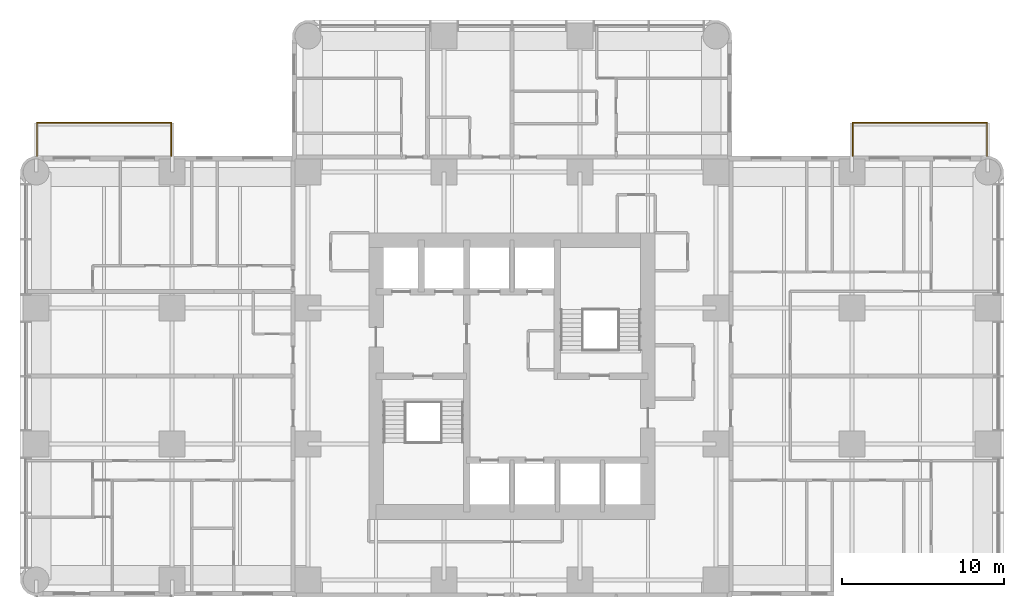
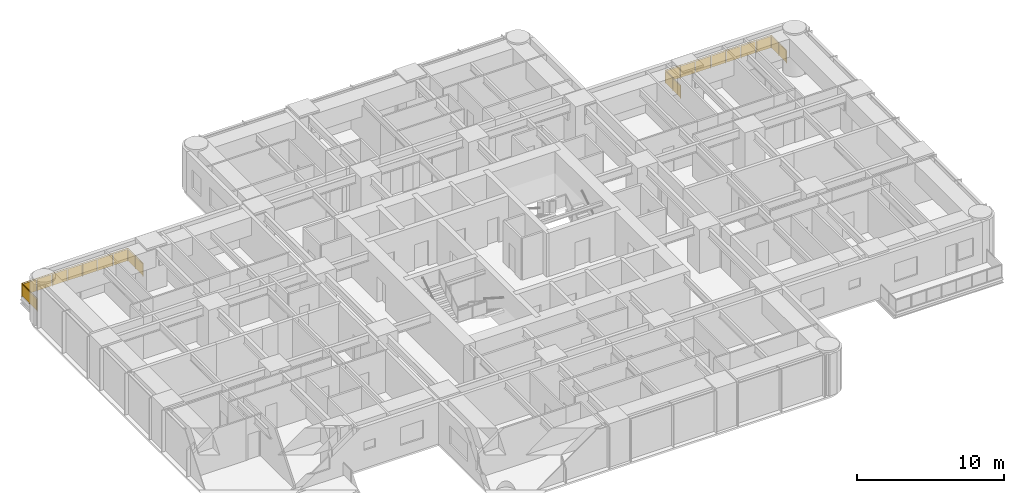
# One storey, part 14 of 14: 2 railings.
"""IFC4 building model written with IfcOpenShell, lengths in metres."""

from ifc_helpers import new_model, si_unit, direction, frame, origin, origin_2d, place, context, subcontext, project, spatial, polyline, circle, outline, extrude, material, constituent, constituent_set, type_object, element, save


model = new_model("IFC4")

# Units and contexts
model_context = context("Model", 3, precision=1e-05, world=origin(), true_north=direction((0.0, 1.0)))
body_context = subcontext(model_context, "Body", "Model", "MODEL_VIEW")
ifc_project = project(units=[si_unit("LENGTHUNIT", "METRE"), si_unit("AREAUNIT", "SQUARE_METRE"), si_unit("VOLUMEUNIT", "CUBIC_METRE"), si_unit("PLANEANGLEUNIT", "RADIAN"), si_unit("MASSUNIT", "GRAM", prefix="KILO")], contexts=[model_context])

# Site, building, storey
site_placement = place(None, origin())
site = spatial("IfcSite", under=ifc_project, at=site_placement, CompositionType="ELEMENT")
building_placement = place(site_placement, origin())
building = spatial("IfcBuilding", under=site, at=building_placement, Name="Torre Alcanfor", CompositionType="ELEMENT")
storey_placement = place(building_placement, frame((0.0, 0.0, 126.89990234375)))
storey = spatial("IfcBuildingStorey", under=building, at=storey_placement, Name="L32", CompositionType="ELEMENT", Elevation=126.89990234375)

# Railings
ifc_material_1 = material(Name="Laminated safety glass", Category="glass")
ifc_constituent_1 = constituent(ifc_material_1, Name="Infill")
ifc_material_2 = material(Name="Stainless steel ASTM A554 Grade MT 316L tube", Category="steel")
ifc_constituent_2 = constituent(ifc_material_2, Name="Posts and rail")
ifc_constituent_set = constituent_set(constituents=[ifc_constituent_1, ifc_constituent_2], Name="Balcony guard glass 1100")
railing_type = type_object("IfcRailingType", Name="Balcony guard glass 1100", PredefinedType="BALUSTRADE", material=ifc_constituent_set)
railing_1_placement = place(storey_placement, frame((50.449951171875, 43.0, 0.0)))
element("IfcRailing", 1, at=railing_1_placement, inside=storey, type_object=railing_type, Name="Balcony guard L32-E1", PredefinedType="BALUSTRADE", context=body_context, shape_type="SweptSolid", body=[
    extrude(circle(Radius=0.02392578125, at=origin_2d()), frame((0.0, 0.0, 1.076171875), z_axis=(0.0, 1.0, 0.0), x_axis=(-1.0, 0.0, 0.0)), (0.0, 0.0, 1.0), 2.050048828125),
    extrude(circle(Radius=0.02392578125, at=origin_2d()), frame((0.0, 2.050048828125, 1.076171875), z_axis=(1.0, 0.0, 0.0), x_axis=(0.0, 1.0, 0.0)), (0.0, 0.0, 1.0), 8.300048828125),
    extrude(circle(Radius=0.02392578125, at=origin_2d()), frame((8.300048828125, 2.050048828125, 1.076171875), z_axis=(0.0, -1.0, 0.0), x_axis=(1.0, 0.0, 0.0)), (0.0, 0.0, 1.0), 2.050048828125),
    extrude(circle(Radius=0.02099609375, at=origin_2d()), origin(), (0.0, 0.0, 1.0), 1.052001953125),
    extrude(circle(Radius=0.02099609375, at=origin_2d()), frame((0.0, 1.02490234375, 0.0)), (0.0, 0.0, 1.0), 1.052001953125),
    extrude(circle(Radius=0.02099609375, at=origin_2d()), frame((0.0, 2.050048828125, 0.0)), (0.0, 0.0, 1.0), 1.052001953125),
    extrude(circle(Radius=0.02099609375, at=origin_2d()), frame((1.185791015625, 2.050048828125, 0.0)), (0.0, 0.0, 1.0), 1.052001953125),
    extrude(circle(Radius=0.02099609375, at=origin_2d()), frame((2.371337890625, 2.050048828125, 0.0)), (0.0, 0.0, 1.0), 1.052001953125),
    extrude(circle(Radius=0.02099609375, at=origin_2d()), frame((3.55712890625, 2.050048828125, 0.0)), (0.0, 0.0, 1.0), 1.052001953125),
    extrude(circle(Radius=0.02099609375, at=origin_2d()), frame((4.742919921875, 2.050048828125, 0.0)), (0.0, 0.0, 1.0), 1.052001953125),
    extrude(circle(Radius=0.02099609375, at=origin_2d()), frame((5.9287109375, 2.050048828125, 0.0)), (0.0, 0.0, 1.0), 1.052001953125),
    extrude(circle(Radius=0.02099609375, at=origin_2d()), frame((7.1142578125, 2.050048828125, 0.0)), (0.0, 0.0, 1.0), 1.052001953125),
    extrude(circle(Radius=0.02099609375, at=origin_2d()), frame((8.300048828125, 2.050048828125, 0.0)), (0.0, 0.0, 1.0), 1.052001953125),
    extrude(circle(Radius=0.02099609375, at=origin_2d()), frame((8.300048828125, 1.02490234375, 0.0)), (0.0, 0.0, 1.0), 1.052001953125),
    extrude(circle(Radius=0.02099609375, at=origin_2d()), frame((8.300048828125, 0.0, 0.0)), (0.0, 0.0, 1.0), 1.052001953125),
    extrude(outline(polyline([(0.041015625, 0.050048828125), (0.984130859375, 0.050048828125), (0.984130859375, 1.001953125), (0.041015625, 1.001953125), (0.041015625, 0.050048828125)])), frame((-0.005859375, 0.0, 0.0), z_axis=(1.0, 0.0, 0.0), x_axis=(0.0, 1.0, 0.0)), (0.0, 0.0, 1.0), 0.011962890625),
    extrude(outline(polyline([(1.06591796875, 0.050048828125), (2.009033203125, 0.050048828125), (2.009033203125, 1.001953125), (1.06591796875, 1.001953125), (1.06591796875, 0.050048828125)])), frame((-0.005859375, 0.0, 0.0), z_axis=(1.0, 0.0, 0.0), x_axis=(0.0, 1.0, 0.0)), (0.0, 0.0, 1.0), 0.011962890625),
    extrude(outline(polyline([(0.041015625, 0.050048828125), (1.144775390625, 0.050048828125), (1.144775390625, 1.001953125), (0.041015625, 1.001953125), (0.041015625, 0.050048828125)])), frame((0.0, 2.05615234375, 0.0), z_axis=(0.0, -1.0, 0.0), x_axis=(1.0, 0.0, 0.0)), (0.0, 0.0, 1.0), 0.011962890625),
    extrude(outline(polyline([(1.226806640625, 0.050048828125), (2.330322265625, 0.050048828125), (2.330322265625, 1.001953125), (1.226806640625, 1.001953125), (1.226806640625, 0.050048828125)])), frame((0.0, 2.05615234375, 0.0), z_axis=(0.0, -1.0, 0.0), x_axis=(1.0, 0.0, 0.0)), (0.0, 0.0, 1.0), 0.011962890625),
    extrude(outline(polyline([(2.412353515625, 0.050048828125), (3.51611328125, 0.050048828125), (3.51611328125, 1.001953125), (2.412353515625, 1.001953125), (2.412353515625, 0.050048828125)])), frame((0.0, 2.05615234375, 0.0), z_axis=(0.0, -1.0, 0.0), x_axis=(1.0, 0.0, 0.0)), (0.0, 0.0, 1.0), 0.011962890625),
    extrude(outline(polyline([(3.59814453125, 0.050048828125), (4.701904296875, 0.050048828125), (4.701904296875, 1.001953125), (3.59814453125, 1.001953125), (3.59814453125, 0.050048828125)])), frame((0.0, 2.05615234375, 0.0), z_axis=(0.0, -1.0, 0.0), x_axis=(1.0, 0.0, 0.0)), (0.0, 0.0, 1.0), 0.011962890625),
    extrude(outline(polyline([(4.783935546875, 0.050048828125), (5.8876953125, 0.050048828125), (5.8876953125, 1.001953125), (4.783935546875, 1.001953125), (4.783935546875, 0.050048828125)])), frame((0.0, 2.05615234375, 0.0), z_axis=(0.0, -1.0, 0.0), x_axis=(1.0, 0.0, 0.0)), (0.0, 0.0, 1.0), 0.011962890625),
    extrude(outline(polyline([(5.9697265625, 0.050048828125), (7.0732421875, 0.050048828125), (7.0732421875, 1.001953125), (5.9697265625, 1.001953125), (5.9697265625, 0.050048828125)])), frame((0.0, 2.05615234375, 0.0), z_axis=(0.0, -1.0, 0.0), x_axis=(1.0, 0.0, 0.0)), (0.0, 0.0, 1.0), 0.011962890625),
    extrude(outline(polyline([(7.1552734375, 0.050048828125), (8.259033203125, 0.050048828125), (8.259033203125, 1.001953125), (7.1552734375, 1.001953125), (7.1552734375, 0.050048828125)])), frame((0.0, 2.05615234375, 0.0), z_axis=(0.0, -1.0, 0.0), x_axis=(1.0, 0.0, 0.0)), (0.0, 0.0, 1.0), 0.011962890625),
    extrude(outline(polyline([(0.041015625, 0.050048828125), (0.984130859375, 0.050048828125), (0.984130859375, 1.001953125), (0.041015625, 1.001953125), (0.041015625, 0.050048828125)])), frame((8.30615234375, 2.050048828125, 0.0), z_axis=(-1.0, 0.0, 0.0), x_axis=(0.0, -1.0, 0.0)), (0.0, 0.0, 1.0), 0.011962890625),
    extrude(outline(polyline([(1.06591796875, 0.050048828125), (2.009033203125, 0.050048828125), (2.009033203125, 1.001953125), (1.06591796875, 1.001953125), (1.06591796875, 0.050048828125)])), frame((8.30615234375, 2.050048828125, 0.0), z_axis=(-1.0, 0.0, 0.0), x_axis=(0.0, -1.0, 0.0)), (0.0, 0.0, 1.0), 0.011962890625),
])
railing_2_placement = place(storey_placement, frame((8.35009765625, 43.0, 0.0)))
element("IfcRailing", 2, at=railing_2_placement, inside=storey, type_object=railing_type, Name="Balcony guard L32-W2", PredefinedType="BALUSTRADE", context=body_context, shape_type="SweptSolid", body=[
    extrude(circle(Radius=0.02392578125, at=origin_2d()), frame((0.0, 0.0, 1.076171875), z_axis=(0.0, 1.0, 0.0), x_axis=(-1.0, 0.0, 0.0)), (0.0, 0.0, 1.0), 2.050048828125),
    extrude(circle(Radius=0.02392578125, at=origin_2d()), frame((0.0, 2.050048828125, 1.076171875), z_axis=(-1.0, 0.0, 0.0), x_axis=(0.0, -1.0, 0.0)), (0.0, 0.0, 1.0), 8.300048828125),
    extrude(circle(Radius=0.02392578125, at=origin_2d()), frame((-8.300048828125, 2.050048828125, 1.076171875), z_axis=(0.0, -1.0, 0.0), x_axis=(1.0, 0.0, 0.0)), (0.0, 0.0, 1.0), 2.050048828125),
    extrude(circle(Radius=0.02099609375, at=origin_2d()), origin(), (0.0, 0.0, 1.0), 1.052001953125),
    extrude(circle(Radius=0.02099609375, at=origin_2d()), frame((0.0, 1.02490234375, 0.0)), (0.0, 0.0, 1.0), 1.052001953125),
    extrude(circle(Radius=0.02099609375, at=origin_2d()), frame((0.0, 2.050048828125, 0.0)), (0.0, 0.0, 1.0), 1.052001953125),
    extrude(circle(Radius=0.02099609375, at=origin_2d()), frame((-1.185791015625, 2.050048828125, 0.0)), (0.0, 0.0, 1.0), 1.052001953125),
    extrude(circle(Radius=0.02099609375, at=origin_2d()), frame((-2.371337890625, 2.050048828125, 0.0)), (0.0, 0.0, 1.0), 1.052001953125),
    extrude(circle(Radius=0.02099609375, at=origin_2d()), frame((-3.55712890625, 2.050048828125, 0.0)), (0.0, 0.0, 1.0), 1.052001953125),
    extrude(circle(Radius=0.02099609375, at=origin_2d()), frame((-4.742919921875, 2.050048828125, 0.0)), (0.0, 0.0, 1.0), 1.052001953125),
    extrude(circle(Radius=0.02099609375, at=origin_2d()), frame((-5.9287109375, 2.050048828125, 0.0)), (0.0, 0.0, 1.0), 1.052001953125),
    extrude(circle(Radius=0.02099609375, at=origin_2d()), frame((-7.1142578125, 2.050048828125, 0.0)), (0.0, 0.0, 1.0), 1.052001953125),
    extrude(circle(Radius=0.02099609375, at=origin_2d()), frame((-8.300048828125, 2.050048828125, 0.0)), (0.0, 0.0, 1.0), 1.052001953125),
    extrude(circle(Radius=0.02099609375, at=origin_2d()), frame((-8.300048828125, 1.02490234375, 0.0)), (0.0, 0.0, 1.0), 1.052001953125),
    extrude(circle(Radius=0.02099609375, at=origin_2d()), frame((-8.300048828125, 0.0, 0.0)), (0.0, 0.0, 1.0), 1.052001953125),
    extrude(outline(polyline([(0.041015625, 0.050048828125), (0.984130859375, 0.050048828125), (0.984130859375, 1.001953125), (0.041015625, 1.001953125), (0.041015625, 0.050048828125)])), frame((-0.005859375, 0.0, 0.0), z_axis=(1.0, 0.0, 0.0), x_axis=(0.0, 1.0, 0.0)), (0.0, 0.0, 1.0), 0.011962890625),
    extrude(outline(polyline([(1.06591796875, 0.050048828125), (2.009033203125, 0.050048828125), (2.009033203125, 1.001953125), (1.06591796875, 1.001953125), (1.06591796875, 0.050048828125)])), frame((-0.005859375, 0.0, 0.0), z_axis=(1.0, 0.0, 0.0), x_axis=(0.0, 1.0, 0.0)), (0.0, 0.0, 1.0), 0.011962890625),
    extrude(outline(polyline([(0.041015625, 0.050048828125), (1.144775390625, 0.050048828125), (1.144775390625, 1.001953125), (0.041015625, 1.001953125), (0.041015625, 0.050048828125)])), frame((0.0, 2.0439453125, 0.0), z_axis=(0.0, 1.0, 0.0), x_axis=(-1.0, 0.0, 0.0)), (0.0, 0.0, 1.0), 0.011962890625),
    extrude(outline(polyline([(1.226806640625, 0.050048828125), (2.330322265625, 0.050048828125), (2.330322265625, 1.001953125), (1.226806640625, 1.001953125), (1.226806640625, 0.050048828125)])), frame((0.0, 2.0439453125, 0.0), z_axis=(0.0, 1.0, 0.0), x_axis=(-1.0, 0.0, 0.0)), (0.0, 0.0, 1.0), 0.011962890625),
    extrude(outline(polyline([(2.412353515625, 0.050048828125), (3.51611328125, 0.050048828125), (3.51611328125, 1.001953125), (2.412353515625, 1.001953125), (2.412353515625, 0.050048828125)])), frame((0.0, 2.0439453125, 0.0), z_axis=(0.0, 1.0, 0.0), x_axis=(-1.0, 0.0, 0.0)), (0.0, 0.0, 1.0), 0.011962890625),
    extrude(outline(polyline([(3.59814453125, 0.050048828125), (4.701904296875, 0.050048828125), (4.701904296875, 1.001953125), (3.59814453125, 1.001953125), (3.59814453125, 0.050048828125)])), frame((0.0, 2.0439453125, 0.0), z_axis=(0.0, 1.0, 0.0), x_axis=(-1.0, 0.0, 0.0)), (0.0, 0.0, 1.0), 0.011962890625),
    extrude(outline(polyline([(4.783935546875, 0.050048828125), (5.8876953125, 0.050048828125), (5.8876953125, 1.001953125), (4.783935546875, 1.001953125), (4.783935546875, 0.050048828125)])), frame((0.0, 2.0439453125, 0.0), z_axis=(0.0, 1.0, 0.0), x_axis=(-1.0, 0.0, 0.0)), (0.0, 0.0, 1.0), 0.011962890625),
    extrude(outline(polyline([(5.9697265625, 0.050048828125), (7.0732421875, 0.050048828125), (7.0732421875, 1.001953125), (5.9697265625, 1.001953125), (5.9697265625, 0.050048828125)])), frame((0.0, 2.0439453125, 0.0), z_axis=(0.0, 1.0, 0.0), x_axis=(-1.0, 0.0, 0.0)), (0.0, 0.0, 1.0), 0.011962890625),
    extrude(outline(polyline([(7.1552734375, 0.050048828125), (8.259033203125, 0.050048828125), (8.259033203125, 1.001953125), (7.1552734375, 1.001953125), (7.1552734375, 0.050048828125)])), frame((0.0, 2.0439453125, 0.0), z_axis=(0.0, 1.0, 0.0), x_axis=(-1.0, 0.0, 0.0)), (0.0, 0.0, 1.0), 0.011962890625),
    extrude(outline(polyline([(0.041015625, 0.050048828125), (0.984130859375, 0.050048828125), (0.984130859375, 1.001953125), (0.041015625, 1.001953125), (0.041015625, 0.050048828125)])), frame((-8.2939453125, 2.050048828125, 0.0), z_axis=(-1.0, 0.0, 0.0), x_axis=(0.0, -1.0, 0.0)), (0.0, 0.0, 1.0), 0.011962890625),
    extrude(outline(polyline([(1.06591796875, 0.050048828125), (2.009033203125, 0.050048828125), (2.009033203125, 1.001953125), (1.06591796875, 1.001953125), (1.06591796875, 0.050048828125)])), frame((-8.2939453125, 2.050048828125, 0.0), z_axis=(-1.0, 0.0, 0.0), x_axis=(0.0, -1.0, 0.0)), (0.0, 0.0, 1.0), 0.011962890625),
])

save(model, "model.ifc")
